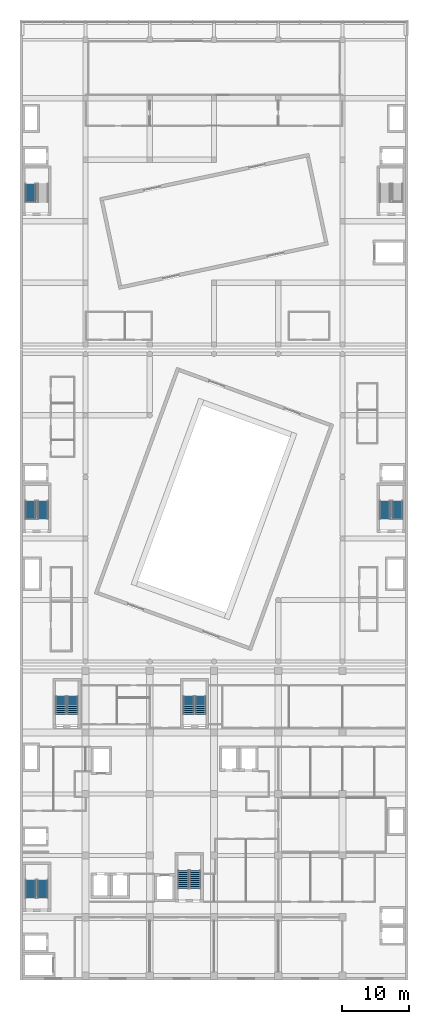
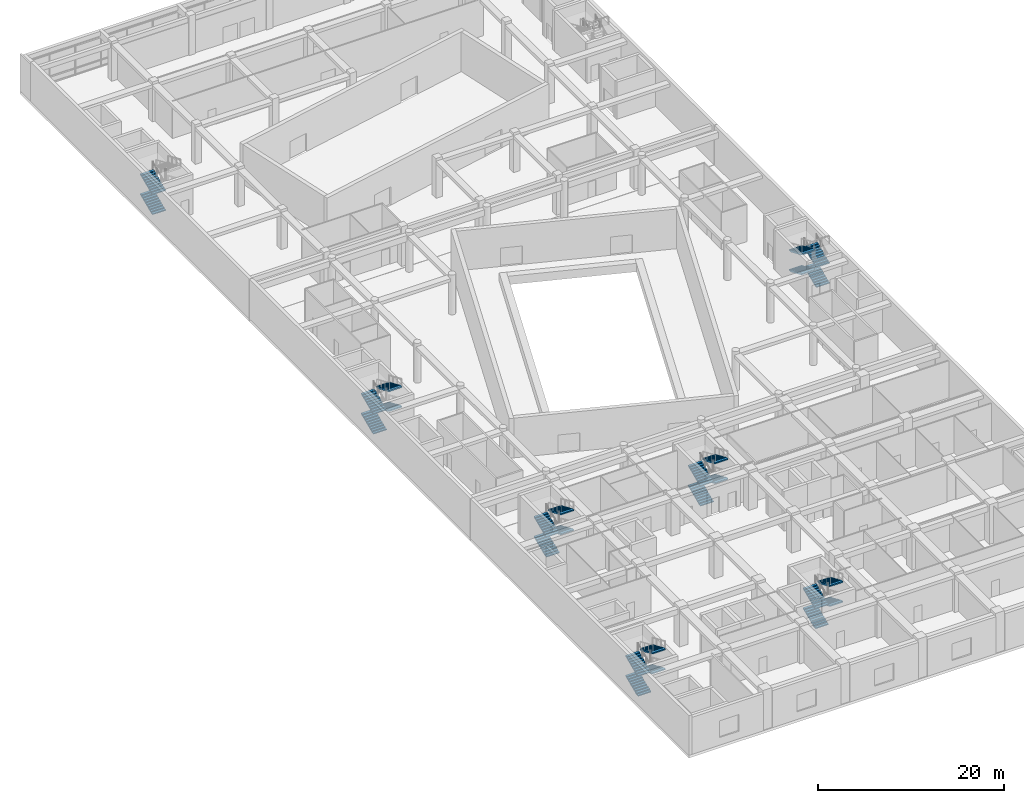
# One storey, part 15 of 31: 26 stair flights, 7 elements without a shape of their own.
"""IFC4 building model written with IfcOpenShell, lengths in metres."""

from ifc_helpers import new_model, si_unit, direction, frame, origin, place, context, subcontext, project, spatial, polyline, outline, extrude, material, type_object, element, aggregate, save


model = new_model("IFC4")

# Units and contexts
model_context = context("Model", 3, precision=1e-05, world=origin(), true_north=direction((0.0, 1.0)))
body_context = subcontext(model_context, "Body", "Model", "MODEL_VIEW")
ifc_project = project(units=[si_unit("LENGTHUNIT", "METRE"), si_unit("AREAUNIT", "SQUARE_METRE"), si_unit("VOLUMEUNIT", "CUBIC_METRE"), si_unit("PLANEANGLEUNIT", "RADIAN"), si_unit("MASSUNIT", "GRAM", prefix="KILO")], contexts=[model_context])

# Site, building, storey
site_placement = place(None, origin())
site = spatial("IfcSite", under=ifc_project, at=site_placement, CompositionType="ELEMENT")
building_placement = place(site_placement, origin())
building = spatial("IfcBuilding", under=site, at=building_placement, Name="Nzadi Deep Aquarium and Research Tower", CompositionType="ELEMENT")
storey_placement = place(building_placement, frame((0.0, 0.0, 26.699951171875)))
storey = spatial("IfcBuildingStorey", under=building, at=storey_placement, Name="L04", CompositionType="ELEMENT", Elevation=26.699951171875)

# Stair, stair flights
ifc_material_1 = material(Name="Concrete C35/45", Category="concrete")
stair_type = type_object("IfcStairType", Name="STAIR RETURN 3000", PredefinedType="NOTDEFINED", material=ifc_material_1)
stair_1_placement = place(storey_placement, origin())
stair_1 = element("IfcStair", 1, at=stair_1_placement, inside=storey, type_object=stair_type, Name="Stair ST-Z1-SW L04", PredefinedType="DOUBLE_RETURN_STAIR")
ifc_material_2 = material(Name="Concrete C35/45", Category="concrete")
stair_flight_type = type_object("IfcStairFlightType", Name="FLIGHT 1625 10 RISERS 130.0", PredefinedType="STRAIGHT", material=ifc_material_2)
stair_flight_1_placement = place(storey_placement, frame((1.41259765625, 12.070068359375, 0.0), z_axis=(0.0, 0.0, 1.0), x_axis=(0.0, 1.0, 0.0)))
stair_flight_1 = element("IfcStairFlight", 2, at=stair_flight_1_placement, type_object=stair_flight_type, Name="ST-Z1-SW flight 1", NumberOfRisers=10, NumberOfTreads=9, PredefinedType="STRAIGHT", RiserHeight=0.13, TreadLength=0.3, context=body_context, shape_type="SweptSolid", body=[
    extrude(outline(polyline([(0.0, 0.0), (0.0, 0.1298828125), (0.300048828125, 0.1298828125), (0.300048828125, 0.260009765625), (0.60009765625, 0.260009765625), (0.60009765625, 0.389892578125), (0.89990234375, 0.389892578125), (0.89990234375, 0.52001953125), (1.199951171875, 0.52001953125), (1.199951171875, 0.64990234375), (1.5, 0.64990234375), (1.5, 0.780029296875), (1.800048828125, 0.780029296875), (1.800048828125, 0.909912109375), (2.10009765625, 0.909912109375), (2.10009765625, 1.0400390625), (2.39990234375, 1.0400390625), (2.39990234375, 1.169921875), (2.699951171875, 1.169921875), (2.699951171875, 1.300048828125), (2.699951171875, 1.006591796875), (0.376953125, 0.0), (0.0, 0.0)])), frame((0.0, 0.8125, 0.0), z_axis=(0.0, -1.0, 0.0), x_axis=(1.0, 0.0, 0.0)), (0.0, 0.0, 1.0), 1.625),
])
stair_flight_2_placement = place(storey_placement, frame((3.1875, 14.77001953125, 1.300048828125), z_axis=(0.0, 0.0, 1.0), x_axis=(0.0, -1.0, 0.0)))
stair_flight_2 = element("IfcStairFlight", 3, at=stair_flight_2_placement, type_object=stair_flight_type, Name="ST-Z1-SW flight 2", NumberOfRisers=10, NumberOfTreads=9, PredefinedType="STRAIGHT", RiserHeight=0.13, TreadLength=0.3, context=body_context, shape_type="SweptSolid", body=[
    extrude(outline(polyline([(0.0, 0.0), (0.0, 0.1298828125), (0.300048828125, 0.1298828125), (0.300048828125, 0.260009765625), (0.60009765625, 0.260009765625), (0.60009765625, 0.389892578125), (0.89990234375, 0.389892578125), (0.89990234375, 0.52001953125), (1.199951171875, 0.52001953125), (1.199951171875, 0.64990234375), (1.5, 0.64990234375), (1.5, 0.780029296875), (1.800048828125, 0.780029296875), (1.800048828125, 0.909912109375), (2.10009765625, 0.909912109375), (2.10009765625, 1.0400390625), (2.39990234375, 1.0400390625), (2.39990234375, 1.169921875), (2.699951171875, 1.169921875), (2.699951171875, 1.300048828125), (2.699951171875, 1.006591796875), (0.376953125, 0.0), (0.0, 0.0)])), frame((0.0, 0.8125, 0.0), z_axis=(0.0, -1.0, 0.0), x_axis=(1.0, 0.0, 0.0)), (0.0, 0.0, 1.0), 1.625),
])
stair_flight_3_placement = place(storey_placement, frame((1.41259765625, 12.070068359375, 2.60009765625), z_axis=(0.0, 0.0, 1.0), x_axis=(0.0, 1.0, 0.0)))
stair_flight_3 = element("IfcStairFlight", 4, at=stair_flight_3_placement, type_object=stair_flight_type, Name="ST-Z1-SW flight 3", NumberOfRisers=10, NumberOfTreads=9, PredefinedType="STRAIGHT", RiserHeight=0.13, TreadLength=0.3, context=body_context, shape_type="SweptSolid", body=[
    extrude(outline(polyline([(0.0, 0.0), (0.0, 0.1298828125), (0.300048828125, 0.1298828125), (0.300048828125, 0.260009765625), (0.60009765625, 0.260009765625), (0.60009765625, 0.389892578125), (0.89990234375, 0.389892578125), (0.89990234375, 0.52001953125), (1.199951171875, 0.52001953125), (1.199951171875, 0.64990234375), (1.5, 0.64990234375), (1.5, 0.780029296875), (1.800048828125, 0.780029296875), (1.800048828125, 0.909912109375), (2.10009765625, 0.909912109375), (2.10009765625, 1.0400390625), (2.39990234375, 1.0400390625), (2.39990234375, 1.169921875), (2.699951171875, 1.169921875), (2.699951171875, 1.300048828125), (2.699951171875, 1.006591796875), (0.376953125, 0.0), (0.0, 0.0)])), frame((0.0, 0.8125, 0.0), z_axis=(0.0, -1.0, 0.0), x_axis=(1.0, 0.0, 0.0)), (0.0, 0.0, 1.0), 1.625),
])
stair_flight_4_placement = place(storey_placement, frame((3.1875, 14.77001953125, 3.900146484375), z_axis=(0.0, 0.0, 1.0), x_axis=(0.0, -1.0, 0.0)))
stair_flight_4 = element("IfcStairFlight", 5, at=stair_flight_4_placement, type_object=stair_flight_type, Name="ST-Z1-SW flight 4", NumberOfRisers=10, NumberOfTreads=9, PredefinedType="STRAIGHT", RiserHeight=0.13, TreadLength=0.3, context=body_context, shape_type="SweptSolid", body=[
    extrude(outline(polyline([(0.0, 0.0), (0.0, 0.1298828125), (0.300048828125, 0.1298828125), (0.300048828125, 0.260009765625), (0.60009765625, 0.260009765625), (0.60009765625, 0.389892578125), (0.89990234375, 0.389892578125), (0.89990234375, 0.52001953125), (1.199951171875, 0.52001953125), (1.199951171875, 0.64990234375), (1.5, 0.64990234375), (1.5, 0.780029296875), (1.800048828125, 0.780029296875), (1.800048828125, 0.909912109375), (2.10009765625, 0.909912109375), (2.10009765625, 1.0400390625), (2.39990234375, 1.0400390625), (2.39990234375, 1.169921875), (2.699951171875, 1.169921875), (2.699951171875, 1.300048828125), (2.699951171875, 1.006591796875), (0.376953125, 0.0), (0.0, 0.0)])), frame((0.0, 0.8125, 0.0), z_axis=(0.0, -1.0, 0.0), x_axis=(1.0, 0.0, 0.0)), (0.0, 0.0, 1.0), 1.625),
])
aggregate(stair_1, [stair_flight_1, stair_flight_2, stair_flight_3, stair_flight_4])

stair_2_placement = place(storey_placement, origin())
stair_2 = element("IfcStair", 6, at=stair_2_placement, inside=storey, type_object=stair_type, Name="Stair ST-Z1-SE L04", PredefinedType="DOUBLE_RETURN_STAIR")
stair_flight_5_placement = place(storey_placement, frame((24.21240234375, 13.469970703125, 0.0), z_axis=(0.0, 0.0, 1.0), x_axis=(0.0, 1.0, 0.0)))
stair_flight_5 = element("IfcStairFlight", 7, at=stair_flight_5_placement, type_object=stair_flight_type, Name="ST-Z1-SE flight 1", NumberOfRisers=10, NumberOfTreads=9, PredefinedType="STRAIGHT", RiserHeight=0.13, TreadLength=0.3, context=body_context, shape_type="SweptSolid", body=[
    extrude(outline(polyline([(0.0, 0.0), (0.0, 0.1298828125), (0.300048828125, 0.1298828125), (0.300048828125, 0.260009765625), (0.60009765625, 0.260009765625), (0.60009765625, 0.389892578125), (0.89990234375, 0.389892578125), (0.89990234375, 0.52001953125), (1.199951171875, 0.52001953125), (1.199951171875, 0.64990234375), (1.5, 0.64990234375), (1.5, 0.780029296875), (1.800048828125, 0.780029296875), (1.800048828125, 0.909912109375), (2.10009765625, 0.909912109375), (2.10009765625, 1.0400390625), (2.39990234375, 1.0400390625), (2.39990234375, 1.169921875), (2.699951171875, 1.169921875), (2.699951171875, 1.300048828125), (2.699951171875, 1.006591796875), (0.376953125, 0.0), (0.0, 0.0)])), frame((0.0, 0.8125, 0.0), z_axis=(0.0, -1.0, 0.0), x_axis=(1.0, 0.0, 0.0)), (0.0, 0.0, 1.0), 1.625),
])
stair_flight_6_placement = place(storey_placement, frame((25.987548828125, 16.169921875, 1.300048828125), z_axis=(0.0, 0.0, 1.0), x_axis=(0.0, -1.0, 0.0)))
stair_flight_6 = element("IfcStairFlight", 8, at=stair_flight_6_placement, type_object=stair_flight_type, Name="ST-Z1-SE flight 2", NumberOfRisers=10, NumberOfTreads=9, PredefinedType="STRAIGHT", RiserHeight=0.13, TreadLength=0.3, context=body_context, shape_type="SweptSolid", body=[
    extrude(outline(polyline([(0.0, 0.0), (0.0, 0.1298828125), (0.300048828125, 0.1298828125), (0.300048828125, 0.260009765625), (0.60009765625, 0.260009765625), (0.60009765625, 0.389892578125), (0.89990234375, 0.389892578125), (0.89990234375, 0.52001953125), (1.199951171875, 0.52001953125), (1.199951171875, 0.64990234375), (1.5, 0.64990234375), (1.5, 0.780029296875), (1.800048828125, 0.780029296875), (1.800048828125, 0.909912109375), (2.10009765625, 0.909912109375), (2.10009765625, 1.0400390625), (2.39990234375, 1.0400390625), (2.39990234375, 1.169921875), (2.699951171875, 1.169921875), (2.699951171875, 1.300048828125), (2.699951171875, 1.006591796875), (0.376953125, 0.0), (0.0, 0.0)])), frame((0.0, 0.8125, 0.0), z_axis=(0.0, -1.0, 0.0), x_axis=(1.0, 0.0, 0.0)), (0.0, 0.0, 1.0), 1.625),
])
stair_flight_7_placement = place(storey_placement, frame((24.21240234375, 13.469970703125, 2.60009765625), z_axis=(0.0, 0.0, 1.0), x_axis=(0.0, 1.0, 0.0)))
stair_flight_7 = element("IfcStairFlight", 9, at=stair_flight_7_placement, type_object=stair_flight_type, Name="ST-Z1-SE flight 3", NumberOfRisers=10, NumberOfTreads=9, PredefinedType="STRAIGHT", RiserHeight=0.13, TreadLength=0.3, context=body_context, shape_type="SweptSolid", body=[
    extrude(outline(polyline([(0.0, 0.0), (0.0, 0.1298828125), (0.300048828125, 0.1298828125), (0.300048828125, 0.260009765625), (0.60009765625, 0.260009765625), (0.60009765625, 0.389892578125), (0.89990234375, 0.389892578125), (0.89990234375, 0.52001953125), (1.199951171875, 0.52001953125), (1.199951171875, 0.64990234375), (1.5, 0.64990234375), (1.5, 0.780029296875), (1.800048828125, 0.780029296875), (1.800048828125, 0.909912109375), (2.10009765625, 0.909912109375), (2.10009765625, 1.0400390625), (2.39990234375, 1.0400390625), (2.39990234375, 1.169921875), (2.699951171875, 1.169921875), (2.699951171875, 1.300048828125), (2.699951171875, 1.006591796875), (0.376953125, 0.0), (0.0, 0.0)])), frame((0.0, 0.8125, 0.0), z_axis=(0.0, -1.0, 0.0), x_axis=(1.0, 0.0, 0.0)), (0.0, 0.0, 1.0), 1.625),
])
stair_flight_8_placement = place(storey_placement, frame((25.987548828125, 16.169921875, 3.900146484375), z_axis=(0.0, 0.0, 1.0), x_axis=(0.0, -1.0, 0.0)))
stair_flight_8 = element("IfcStairFlight", 10, at=stair_flight_8_placement, type_object=stair_flight_type, Name="ST-Z1-SE flight 4", NumberOfRisers=10, NumberOfTreads=9, PredefinedType="STRAIGHT", RiserHeight=0.13, TreadLength=0.3, context=body_context, shape_type="SweptSolid", body=[
    extrude(outline(polyline([(0.0, 0.0), (0.0, 0.1298828125), (0.300048828125, 0.1298828125), (0.300048828125, 0.260009765625), (0.60009765625, 0.260009765625), (0.60009765625, 0.389892578125), (0.89990234375, 0.389892578125), (0.89990234375, 0.52001953125), (1.199951171875, 0.52001953125), (1.199951171875, 0.64990234375), (1.5, 0.64990234375), (1.5, 0.780029296875), (1.800048828125, 0.780029296875), (1.800048828125, 0.909912109375), (2.10009765625, 0.909912109375), (2.10009765625, 1.0400390625), (2.39990234375, 1.0400390625), (2.39990234375, 1.169921875), (2.699951171875, 1.169921875), (2.699951171875, 1.300048828125), (2.699951171875, 1.006591796875), (0.376953125, 0.0), (0.0, 0.0)])), frame((0.0, 0.8125, 0.0), z_axis=(0.0, -1.0, 0.0), x_axis=(1.0, 0.0, 0.0)), (0.0, 0.0, 1.0), 1.625),
])
aggregate(stair_2, [stair_flight_5, stair_flight_6, stair_flight_7, stair_flight_8])

stair_3_placement = place(storey_placement, origin())
stair_3 = element("IfcStair", 11, at=stair_3_placement, inside=storey, type_object=stair_type, Name="Stair ST-Z1-NW L04", PredefinedType="DOUBLE_RETURN_STAIR")
stair_flight_9_placement = place(storey_placement, frame((5.91259765625, 39.52001953125, 0.0), z_axis=(0.0, 0.0, 1.0), x_axis=(0.0, 1.0, 0.0)))
stair_flight_9 = element("IfcStairFlight", 12, at=stair_flight_9_placement, type_object=stair_flight_type, Name="ST-Z1-NW flight 1", NumberOfRisers=10, NumberOfTreads=9, PredefinedType="STRAIGHT", RiserHeight=0.13, TreadLength=0.3, context=body_context, shape_type="SweptSolid", body=[
    extrude(outline(polyline([(0.0, 0.0), (0.0, 0.1298828125), (0.300048828125, 0.1298828125), (0.300048828125, 0.260009765625), (0.60009765625, 0.260009765625), (0.60009765625, 0.389892578125), (0.89990234375, 0.389892578125), (0.89990234375, 0.52001953125), (1.199951171875, 0.52001953125), (1.199951171875, 0.64990234375), (1.5, 0.64990234375), (1.5, 0.780029296875), (1.800048828125, 0.780029296875), (1.800048828125, 0.909912109375), (2.10009765625, 0.909912109375), (2.10009765625, 1.0400390625), (2.39990234375, 1.0400390625), (2.39990234375, 1.169921875), (2.699951171875, 1.169921875), (2.699951171875, 1.300048828125), (2.699951171875, 1.006591796875), (0.376953125, 0.0), (0.0, 0.0)])), frame((0.0, 0.8125, 0.0), z_axis=(0.0, -1.0, 0.0), x_axis=(1.0, 0.0, 0.0)), (0.0, 0.0, 1.0), 1.625),
])
stair_flight_10_placement = place(storey_placement, frame((7.6875, 42.219970703125, 1.300048828125), z_axis=(0.0, 0.0, 1.0), x_axis=(0.0, -1.0, 0.0)))
stair_flight_10 = element("IfcStairFlight", 13, at=stair_flight_10_placement, type_object=stair_flight_type, Name="ST-Z1-NW flight 2", NumberOfRisers=10, NumberOfTreads=9, PredefinedType="STRAIGHT", RiserHeight=0.13, TreadLength=0.3, context=body_context, shape_type="SweptSolid", body=[
    extrude(outline(polyline([(0.0, 0.0), (0.0, 0.1298828125), (0.300048828125, 0.1298828125), (0.300048828125, 0.260009765625), (0.60009765625, 0.260009765625), (0.60009765625, 0.389892578125), (0.89990234375, 0.389892578125), (0.89990234375, 0.52001953125), (1.199951171875, 0.52001953125), (1.199951171875, 0.64990234375), (1.5, 0.64990234375), (1.5, 0.780029296875), (1.800048828125, 0.780029296875), (1.800048828125, 0.909912109375), (2.10009765625, 0.909912109375), (2.10009765625, 1.0400390625), (2.39990234375, 1.0400390625), (2.39990234375, 1.169921875), (2.699951171875, 1.169921875), (2.699951171875, 1.300048828125), (2.699951171875, 1.006591796875), (0.376953125, 0.0), (0.0, 0.0)])), frame((0.0, 0.8125, 0.0), z_axis=(0.0, -1.0, 0.0), x_axis=(1.0, 0.0, 0.0)), (0.0, 0.0, 1.0), 1.625),
])
stair_flight_11_placement = place(storey_placement, frame((5.91259765625, 39.52001953125, 2.60009765625), z_axis=(0.0, 0.0, 1.0), x_axis=(0.0, 1.0, 0.0)))
stair_flight_11 = element("IfcStairFlight", 14, at=stair_flight_11_placement, type_object=stair_flight_type, Name="ST-Z1-NW flight 3", NumberOfRisers=10, NumberOfTreads=9, PredefinedType="STRAIGHT", RiserHeight=0.13, TreadLength=0.3, context=body_context, shape_type="SweptSolid", body=[
    extrude(outline(polyline([(0.0, 0.0), (0.0, 0.1298828125), (0.300048828125, 0.1298828125), (0.300048828125, 0.260009765625), (0.60009765625, 0.260009765625), (0.60009765625, 0.389892578125), (0.89990234375, 0.389892578125), (0.89990234375, 0.52001953125), (1.199951171875, 0.52001953125), (1.199951171875, 0.64990234375), (1.5, 0.64990234375), (1.5, 0.780029296875), (1.800048828125, 0.780029296875), (1.800048828125, 0.909912109375), (2.10009765625, 0.909912109375), (2.10009765625, 1.0400390625), (2.39990234375, 1.0400390625), (2.39990234375, 1.169921875), (2.699951171875, 1.169921875), (2.699951171875, 1.300048828125), (2.699951171875, 1.006591796875), (0.376953125, 0.0), (0.0, 0.0)])), frame((0.0, 0.8125, 0.0), z_axis=(0.0, -1.0, 0.0), x_axis=(1.0, 0.0, 0.0)), (0.0, 0.0, 1.0), 1.625),
])
stair_flight_12_placement = place(storey_placement, frame((7.6875, 42.219970703125, 3.900146484375), z_axis=(0.0, 0.0, 1.0), x_axis=(0.0, -1.0, 0.0)))
stair_flight_12 = element("IfcStairFlight", 15, at=stair_flight_12_placement, type_object=stair_flight_type, Name="ST-Z1-NW flight 4", NumberOfRisers=10, NumberOfTreads=9, PredefinedType="STRAIGHT", RiserHeight=0.13, TreadLength=0.3, context=body_context, shape_type="SweptSolid", body=[
    extrude(outline(polyline([(0.0, 0.0), (0.0, 0.1298828125), (0.300048828125, 0.1298828125), (0.300048828125, 0.260009765625), (0.60009765625, 0.260009765625), (0.60009765625, 0.389892578125), (0.89990234375, 0.389892578125), (0.89990234375, 0.52001953125), (1.199951171875, 0.52001953125), (1.199951171875, 0.64990234375), (1.5, 0.64990234375), (1.5, 0.780029296875), (1.800048828125, 0.780029296875), (1.800048828125, 0.909912109375), (2.10009765625, 0.909912109375), (2.10009765625, 1.0400390625), (2.39990234375, 1.0400390625), (2.39990234375, 1.169921875), (2.699951171875, 1.169921875), (2.699951171875, 1.300048828125), (2.699951171875, 1.006591796875), (0.376953125, 0.0), (0.0, 0.0)])), frame((0.0, 0.8125, 0.0), z_axis=(0.0, -1.0, 0.0), x_axis=(1.0, 0.0, 0.0)), (0.0, 0.0, 1.0), 1.625),
])
aggregate(stair_3, [stair_flight_9, stair_flight_10, stair_flight_11, stair_flight_12])

stair_4_placement = place(storey_placement, origin())
stair_4 = element("IfcStair", 16, at=stair_4_placement, inside=storey, type_object=stair_type, Name="Stair ST-Z1-NE L04", PredefinedType="DOUBLE_RETURN_STAIR")
stair_flight_13_placement = place(storey_placement, frame((25.012451171875, 39.52001953125, 0.0), z_axis=(0.0, 0.0, 1.0), x_axis=(0.0, 1.0, 0.0)))
stair_flight_13 = element("IfcStairFlight", 17, at=stair_flight_13_placement, type_object=stair_flight_type, Name="ST-Z1-NE flight 1", NumberOfRisers=10, NumberOfTreads=9, PredefinedType="STRAIGHT", RiserHeight=0.13, TreadLength=0.3, context=body_context, shape_type="SweptSolid", body=[
    extrude(outline(polyline([(0.0, 0.0), (0.0, 0.1298828125), (0.300048828125, 0.1298828125), (0.300048828125, 0.260009765625), (0.60009765625, 0.260009765625), (0.60009765625, 0.389892578125), (0.89990234375, 0.389892578125), (0.89990234375, 0.52001953125), (1.199951171875, 0.52001953125), (1.199951171875, 0.64990234375), (1.5, 0.64990234375), (1.5, 0.780029296875), (1.800048828125, 0.780029296875), (1.800048828125, 0.909912109375), (2.10009765625, 0.909912109375), (2.10009765625, 1.0400390625), (2.39990234375, 1.0400390625), (2.39990234375, 1.169921875), (2.699951171875, 1.169921875), (2.699951171875, 1.300048828125), (2.699951171875, 1.006591796875), (0.376953125, 0.0), (0.0, 0.0)])), frame((0.0, 0.8125, 0.0), z_axis=(0.0, -1.0, 0.0), x_axis=(1.0, 0.0, 0.0)), (0.0, 0.0, 1.0), 1.625),
])
stair_flight_14_placement = place(storey_placement, frame((26.78759765625, 42.219970703125, 1.300048828125), z_axis=(0.0, 0.0, 1.0), x_axis=(0.0, -1.0, 0.0)))
stair_flight_14 = element("IfcStairFlight", 18, at=stair_flight_14_placement, type_object=stair_flight_type, Name="ST-Z1-NE flight 2", NumberOfRisers=10, NumberOfTreads=9, PredefinedType="STRAIGHT", RiserHeight=0.13, TreadLength=0.3, context=body_context, shape_type="SweptSolid", body=[
    extrude(outline(polyline([(0.0, 0.0), (0.0, 0.1298828125), (0.300048828125, 0.1298828125), (0.300048828125, 0.260009765625), (0.60009765625, 0.260009765625), (0.60009765625, 0.389892578125), (0.89990234375, 0.389892578125), (0.89990234375, 0.52001953125), (1.199951171875, 0.52001953125), (1.199951171875, 0.64990234375), (1.5, 0.64990234375), (1.5, 0.780029296875), (1.800048828125, 0.780029296875), (1.800048828125, 0.909912109375), (2.10009765625, 0.909912109375), (2.10009765625, 1.0400390625), (2.39990234375, 1.0400390625), (2.39990234375, 1.169921875), (2.699951171875, 1.169921875), (2.699951171875, 1.300048828125), (2.699951171875, 1.006591796875), (0.376953125, 0.0), (0.0, 0.0)])), frame((0.0, 0.8125, 0.0), z_axis=(0.0, -1.0, 0.0), x_axis=(1.0, 0.0, 0.0)), (0.0, 0.0, 1.0), 1.625),
])
stair_flight_15_placement = place(storey_placement, frame((25.012451171875, 39.52001953125, 2.60009765625), z_axis=(0.0, 0.0, 1.0), x_axis=(0.0, 1.0, 0.0)))
stair_flight_15 = element("IfcStairFlight", 19, at=stair_flight_15_placement, type_object=stair_flight_type, Name="ST-Z1-NE flight 3", NumberOfRisers=10, NumberOfTreads=9, PredefinedType="STRAIGHT", RiserHeight=0.13, TreadLength=0.3, context=body_context, shape_type="SweptSolid", body=[
    extrude(outline(polyline([(0.0, 0.0), (0.0, 0.1298828125), (0.300048828125, 0.1298828125), (0.300048828125, 0.260009765625), (0.60009765625, 0.260009765625), (0.60009765625, 0.389892578125), (0.89990234375, 0.389892578125), (0.89990234375, 0.52001953125), (1.199951171875, 0.52001953125), (1.199951171875, 0.64990234375), (1.5, 0.64990234375), (1.5, 0.780029296875), (1.800048828125, 0.780029296875), (1.800048828125, 0.909912109375), (2.10009765625, 0.909912109375), (2.10009765625, 1.0400390625), (2.39990234375, 1.0400390625), (2.39990234375, 1.169921875), (2.699951171875, 1.169921875), (2.699951171875, 1.300048828125), (2.699951171875, 1.006591796875), (0.376953125, 0.0), (0.0, 0.0)])), frame((0.0, 0.8125, 0.0), z_axis=(0.0, -1.0, 0.0), x_axis=(1.0, 0.0, 0.0)), (0.0, 0.0, 1.0), 1.625),
])
stair_flight_16_placement = place(storey_placement, frame((26.78759765625, 42.219970703125, 3.900146484375), z_axis=(0.0, 0.0, 1.0), x_axis=(0.0, -1.0, 0.0)))
stair_flight_16 = element("IfcStairFlight", 20, at=stair_flight_16_placement, type_object=stair_flight_type, Name="ST-Z1-NE flight 4", NumberOfRisers=10, NumberOfTreads=9, PredefinedType="STRAIGHT", RiserHeight=0.13, TreadLength=0.3, context=body_context, shape_type="SweptSolid", body=[
    extrude(outline(polyline([(0.0, 0.0), (0.0, 0.1298828125), (0.300048828125, 0.1298828125), (0.300048828125, 0.260009765625), (0.60009765625, 0.260009765625), (0.60009765625, 0.389892578125), (0.89990234375, 0.389892578125), (0.89990234375, 0.52001953125), (1.199951171875, 0.52001953125), (1.199951171875, 0.64990234375), (1.5, 0.64990234375), (1.5, 0.780029296875), (1.800048828125, 0.780029296875), (1.800048828125, 0.909912109375), (2.10009765625, 0.909912109375), (2.10009765625, 1.0400390625), (2.39990234375, 1.0400390625), (2.39990234375, 1.169921875), (2.699951171875, 1.169921875), (2.699951171875, 1.300048828125), (2.699951171875, 1.006591796875), (0.376953125, 0.0), (0.0, 0.0)])), frame((0.0, 0.8125, 0.0), z_axis=(0.0, -1.0, 0.0), x_axis=(1.0, 0.0, 0.0)), (0.0, 0.0, 1.0), 1.625),
])
aggregate(stair_4, [stair_flight_13, stair_flight_14, stair_flight_15, stair_flight_16])

stair_5_placement = place(storey_placement, origin())
stair_5 = element("IfcStair", 21, at=stair_5_placement, inside=storey, type_object=stair_type, Name="Stair ST-Z2-W L04", PredefinedType="DOUBLE_RETURN_STAIR")
stair_flight_17_placement = place(storey_placement, frame((1.362548828125, 68.7099609375, 0.0), z_axis=(0.0, 0.0, 1.0), x_axis=(0.0, 1.0, 0.0)))
stair_flight_17 = element("IfcStairFlight", 22, at=stair_flight_17_placement, type_object=stair_flight_type, Name="ST-Z2-W flight 1", NumberOfRisers=10, NumberOfTreads=9, PredefinedType="STRAIGHT", RiserHeight=0.13, TreadLength=0.3, context=body_context, shape_type="SweptSolid", body=[
    extrude(outline(polyline([(0.0, 0.0), (0.0, 0.1298828125), (0.300048828125, 0.1298828125), (0.300048828125, 0.260009765625), (0.60009765625, 0.260009765625), (0.60009765625, 0.389892578125), (0.89990234375, 0.389892578125), (0.89990234375, 0.52001953125), (1.199951171875, 0.52001953125), (1.199951171875, 0.64990234375), (1.5, 0.64990234375), (1.5, 0.780029296875), (1.800048828125, 0.780029296875), (1.800048828125, 0.909912109375), (2.10009765625, 0.909912109375), (2.10009765625, 1.0400390625), (2.39990234375, 1.0400390625), (2.39990234375, 1.169921875), (2.699951171875, 1.169921875), (2.699951171875, 1.300048828125), (2.699951171875, 1.006591796875), (0.376953125, 0.0), (0.0, 0.0)])), frame((0.0, 0.8125, 0.0), z_axis=(0.0, -1.0, 0.0), x_axis=(1.0, 0.0, 0.0)), (0.0, 0.0, 1.0), 1.625),
])
stair_flight_18_placement = place(storey_placement, frame((3.237548828125, 71.409912109375, 1.300048828125), z_axis=(0.0, 0.0, 1.0), x_axis=(0.0, -1.0, 0.0)))
stair_flight_18 = element("IfcStairFlight", 23, at=stair_flight_18_placement, type_object=stair_flight_type, Name="ST-Z2-W flight 2", NumberOfRisers=10, NumberOfTreads=9, PredefinedType="STRAIGHT", RiserHeight=0.13, TreadLength=0.3, context=body_context, shape_type="SweptSolid", body=[
    extrude(outline(polyline([(0.0, 0.0), (0.0, 0.1298828125), (0.300048828125, 0.1298828125), (0.300048828125, 0.260009765625), (0.60009765625, 0.260009765625), (0.60009765625, 0.389892578125), (0.89990234375, 0.389892578125), (0.89990234375, 0.52001953125), (1.199951171875, 0.52001953125), (1.199951171875, 0.64990234375), (1.5, 0.64990234375), (1.5, 0.780029296875), (1.800048828125, 0.780029296875), (1.800048828125, 0.909912109375), (2.10009765625, 0.909912109375), (2.10009765625, 1.0400390625), (2.39990234375, 1.0400390625), (2.39990234375, 1.169921875), (2.699951171875, 1.169921875), (2.699951171875, 1.300048828125), (2.699951171875, 1.006591796875), (0.376953125, 0.0), (0.0, 0.0)])), frame((0.0, 0.8125, 0.0), z_axis=(0.0, -1.0, 0.0), x_axis=(1.0, 0.0, 0.0)), (0.0, 0.0, 1.0), 1.625),
])
stair_flight_19_placement = place(storey_placement, frame((1.362548828125, 68.7099609375, 2.60009765625), z_axis=(0.0, 0.0, 1.0), x_axis=(0.0, 1.0, 0.0)))
stair_flight_19 = element("IfcStairFlight", 24, at=stair_flight_19_placement, type_object=stair_flight_type, Name="ST-Z2-W flight 3", NumberOfRisers=10, NumberOfTreads=9, PredefinedType="STRAIGHT", RiserHeight=0.13, TreadLength=0.3, context=body_context, shape_type="SweptSolid", body=[
    extrude(outline(polyline([(0.0, 0.0), (0.0, 0.1298828125), (0.300048828125, 0.1298828125), (0.300048828125, 0.260009765625), (0.60009765625, 0.260009765625), (0.60009765625, 0.389892578125), (0.89990234375, 0.389892578125), (0.89990234375, 0.52001953125), (1.199951171875, 0.52001953125), (1.199951171875, 0.64990234375), (1.5, 0.64990234375), (1.5, 0.780029296875), (1.800048828125, 0.780029296875), (1.800048828125, 0.909912109375), (2.10009765625, 0.909912109375), (2.10009765625, 1.0400390625), (2.39990234375, 1.0400390625), (2.39990234375, 1.169921875), (2.699951171875, 1.169921875), (2.699951171875, 1.300048828125), (2.699951171875, 1.006591796875), (0.376953125, 0.0), (0.0, 0.0)])), frame((0.0, 0.8125, 0.0), z_axis=(0.0, -1.0, 0.0), x_axis=(1.0, 0.0, 0.0)), (0.0, 0.0, 1.0), 1.625),
])
stair_flight_20_placement = place(storey_placement, frame((3.237548828125, 71.409912109375, 3.900146484375), z_axis=(0.0, 0.0, 1.0), x_axis=(0.0, -1.0, 0.0)))
stair_flight_20 = element("IfcStairFlight", 25, at=stair_flight_20_placement, type_object=stair_flight_type, Name="ST-Z2-W flight 4", NumberOfRisers=10, NumberOfTreads=9, PredefinedType="STRAIGHT", RiserHeight=0.13, TreadLength=0.3, context=body_context, shape_type="SweptSolid", body=[
    extrude(outline(polyline([(0.0, 0.0), (0.0, 0.1298828125), (0.300048828125, 0.1298828125), (0.300048828125, 0.260009765625), (0.60009765625, 0.260009765625), (0.60009765625, 0.389892578125), (0.89990234375, 0.389892578125), (0.89990234375, 0.52001953125), (1.199951171875, 0.52001953125), (1.199951171875, 0.64990234375), (1.5, 0.64990234375), (1.5, 0.780029296875), (1.800048828125, 0.780029296875), (1.800048828125, 0.909912109375), (2.10009765625, 0.909912109375), (2.10009765625, 1.0400390625), (2.39990234375, 1.0400390625), (2.39990234375, 1.169921875), (2.699951171875, 1.169921875), (2.699951171875, 1.300048828125), (2.699951171875, 1.006591796875), (0.376953125, 0.0), (0.0, 0.0)])), frame((0.0, 0.8125, 0.0), z_axis=(0.0, -1.0, 0.0), x_axis=(1.0, 0.0, 0.0)), (0.0, 0.0, 1.0), 1.625),
])
aggregate(stair_5, [stair_flight_17, stair_flight_18, stair_flight_19, stair_flight_20])

stair_6_placement = place(storey_placement, origin())
stair_6 = element("IfcStair", 26, at=stair_6_placement, inside=storey, type_object=stair_type, Name="Stair ST-Z2-E L04", PredefinedType="DOUBLE_RETURN_STAIR")
stair_flight_21_placement = place(storey_placement, frame((56.237548828125, 68.7099609375, 0.0), z_axis=(0.0, 0.0, 1.0), x_axis=(0.0, 1.0, 0.0)))
stair_flight_21 = element("IfcStairFlight", 27, at=stair_flight_21_placement, type_object=stair_flight_type, Name="ST-Z2-E flight 1", NumberOfRisers=10, NumberOfTreads=9, PredefinedType="STRAIGHT", RiserHeight=0.13, TreadLength=0.3, context=body_context, shape_type="SweptSolid", body=[
    extrude(outline(polyline([(0.0, 0.0), (0.0, 0.1298828125), (0.300048828125, 0.1298828125), (0.300048828125, 0.260009765625), (0.60009765625, 0.260009765625), (0.60009765625, 0.389892578125), (0.89990234375, 0.389892578125), (0.89990234375, 0.52001953125), (1.199951171875, 0.52001953125), (1.199951171875, 0.64990234375), (1.5, 0.64990234375), (1.5, 0.780029296875), (1.800048828125, 0.780029296875), (1.800048828125, 0.909912109375), (2.10009765625, 0.909912109375), (2.10009765625, 1.0400390625), (2.39990234375, 1.0400390625), (2.39990234375, 1.169921875), (2.699951171875, 1.169921875), (2.699951171875, 1.300048828125), (2.699951171875, 1.006591796875), (0.376953125, 0.0), (0.0, 0.0)])), frame((0.0, 0.8125, 0.0), z_axis=(0.0, -1.0, 0.0), x_axis=(1.0, 0.0, 0.0)), (0.0, 0.0, 1.0), 1.625),
])
stair_flight_22_placement = place(storey_placement, frame((54.362548828125, 71.409912109375, 1.300048828125), z_axis=(0.0, 0.0, 1.0), x_axis=(0.0, -1.0, 0.0)))
stair_flight_22 = element("IfcStairFlight", 28, at=stair_flight_22_placement, type_object=stair_flight_type, Name="ST-Z2-E flight 2", NumberOfRisers=10, NumberOfTreads=9, PredefinedType="STRAIGHT", RiserHeight=0.13, TreadLength=0.3, context=body_context, shape_type="SweptSolid", body=[
    extrude(outline(polyline([(0.0, 0.0), (0.0, 0.1298828125), (0.300048828125, 0.1298828125), (0.300048828125, 0.260009765625), (0.60009765625, 0.260009765625), (0.60009765625, 0.389892578125), (0.89990234375, 0.389892578125), (0.89990234375, 0.52001953125), (1.199951171875, 0.52001953125), (1.199951171875, 0.64990234375), (1.5, 0.64990234375), (1.5, 0.780029296875), (1.800048828125, 0.780029296875), (1.800048828125, 0.909912109375), (2.10009765625, 0.909912109375), (2.10009765625, 1.0400390625), (2.39990234375, 1.0400390625), (2.39990234375, 1.169921875), (2.699951171875, 1.169921875), (2.699951171875, 1.300048828125), (2.699951171875, 1.006591796875), (0.376953125, 0.0), (0.0, 0.0)])), frame((0.0, 0.8125, 0.0), z_axis=(0.0, -1.0, 0.0), x_axis=(1.0, 0.0, 0.0)), (0.0, 0.0, 1.0), 1.625),
])
stair_flight_23_placement = place(storey_placement, frame((56.237548828125, 68.7099609375, 2.60009765625), z_axis=(0.0, 0.0, 1.0), x_axis=(0.0, 1.0, 0.0)))
stair_flight_23 = element("IfcStairFlight", 29, at=stair_flight_23_placement, type_object=stair_flight_type, Name="ST-Z2-E flight 3", NumberOfRisers=10, NumberOfTreads=9, PredefinedType="STRAIGHT", RiserHeight=0.13, TreadLength=0.3, context=body_context, shape_type="SweptSolid", body=[
    extrude(outline(polyline([(0.0, 0.0), (0.0, 0.1298828125), (0.300048828125, 0.1298828125), (0.300048828125, 0.260009765625), (0.60009765625, 0.260009765625), (0.60009765625, 0.389892578125), (0.89990234375, 0.389892578125), (0.89990234375, 0.52001953125), (1.199951171875, 0.52001953125), (1.199951171875, 0.64990234375), (1.5, 0.64990234375), (1.5, 0.780029296875), (1.800048828125, 0.780029296875), (1.800048828125, 0.909912109375), (2.10009765625, 0.909912109375), (2.10009765625, 1.0400390625), (2.39990234375, 1.0400390625), (2.39990234375, 1.169921875), (2.699951171875, 1.169921875), (2.699951171875, 1.300048828125), (2.699951171875, 1.006591796875), (0.376953125, 0.0), (0.0, 0.0)])), frame((0.0, 0.8125, 0.0), z_axis=(0.0, -1.0, 0.0), x_axis=(1.0, 0.0, 0.0)), (0.0, 0.0, 1.0), 1.625),
])
stair_flight_24_placement = place(storey_placement, frame((54.362548828125, 71.409912109375, 3.900146484375), z_axis=(0.0, 0.0, 1.0), x_axis=(0.0, -1.0, 0.0)))
stair_flight_24 = element("IfcStairFlight", 30, at=stair_flight_24_placement, type_object=stair_flight_type, Name="ST-Z2-E flight 4", NumberOfRisers=10, NumberOfTreads=9, PredefinedType="STRAIGHT", RiserHeight=0.13, TreadLength=0.3, context=body_context, shape_type="SweptSolid", body=[
    extrude(outline(polyline([(0.0, 0.0), (0.0, 0.1298828125), (0.300048828125, 0.1298828125), (0.300048828125, 0.260009765625), (0.60009765625, 0.260009765625), (0.60009765625, 0.389892578125), (0.89990234375, 0.389892578125), (0.89990234375, 0.52001953125), (1.199951171875, 0.52001953125), (1.199951171875, 0.64990234375), (1.5, 0.64990234375), (1.5, 0.780029296875), (1.800048828125, 0.780029296875), (1.800048828125, 0.909912109375), (2.10009765625, 0.909912109375), (2.10009765625, 1.0400390625), (2.39990234375, 1.0400390625), (2.39990234375, 1.169921875), (2.699951171875, 1.169921875), (2.699951171875, 1.300048828125), (2.699951171875, 1.006591796875), (0.376953125, 0.0), (0.0, 0.0)])), frame((0.0, 0.8125, 0.0), z_axis=(0.0, -1.0, 0.0), x_axis=(1.0, 0.0, 0.0)), (0.0, 0.0, 1.0), 1.625),
])
aggregate(stair_6, [stair_flight_21, stair_flight_22, stair_flight_23, stair_flight_24])

stair_7_placement = place(storey_placement, origin())
stair_7 = element("IfcStair", 31, at=stair_7_placement, inside=storey, type_object=stair_type, Name="Stair ST-Z3-W L04", PredefinedType="DOUBLE_RETURN_STAIR")
stair_flight_25_placement = place(storey_placement, frame((1.362548828125, 116.110107421875, 0.0), z_axis=(0.0, 0.0, 1.0), x_axis=(0.0, 1.0, 0.0)))
stair_flight_25 = element("IfcStairFlight", 32, at=stair_flight_25_placement, type_object=stair_flight_type, Name="ST-Z3-W flight 1", NumberOfRisers=10, NumberOfTreads=9, PredefinedType="STRAIGHT", RiserHeight=0.13, TreadLength=0.3, context=body_context, shape_type="SweptSolid", body=[
    extrude(outline(polyline([(0.0, 0.0), (0.0, 0.1298828125), (0.300048828125, 0.1298828125), (0.300048828125, 0.260009765625), (0.60009765625, 0.260009765625), (0.60009765625, 0.389892578125), (0.89990234375, 0.389892578125), (0.89990234375, 0.52001953125), (1.199951171875, 0.52001953125), (1.199951171875, 0.64990234375), (1.5, 0.64990234375), (1.5, 0.780029296875), (1.800048828125, 0.780029296875), (1.800048828125, 0.909912109375), (2.10009765625, 0.909912109375), (2.10009765625, 1.0400390625), (2.39990234375, 1.0400390625), (2.39990234375, 1.169921875), (2.699951171875, 1.169921875), (2.699951171875, 1.300048828125), (2.699951171875, 1.006591796875), (0.376953125, 0.0), (0.0, 0.0)])), frame((0.0, 0.8125, 0.0), z_axis=(0.0, -1.0, 0.0), x_axis=(1.0, 0.0, 0.0)), (0.0, 0.0, 1.0), 1.625),
])
stair_flight_26_placement = place(storey_placement, frame((1.362548828125, 116.110107421875, 2.60009765625), z_axis=(0.0, 0.0, 1.0), x_axis=(0.0, 1.0, 0.0)))
stair_flight_26 = element("IfcStairFlight", 33, at=stair_flight_26_placement, type_object=stair_flight_type, Name="ST-Z3-W flight 3", NumberOfRisers=10, NumberOfTreads=9, PredefinedType="STRAIGHT", RiserHeight=0.13, TreadLength=0.3, context=body_context, shape_type="SweptSolid", body=[
    extrude(outline(polyline([(0.0, 0.0), (0.0, 0.1298828125), (0.300048828125, 0.1298828125), (0.300048828125, 0.260009765625), (0.60009765625, 0.260009765625), (0.60009765625, 0.389892578125), (0.89990234375, 0.389892578125), (0.89990234375, 0.52001953125), (1.199951171875, 0.52001953125), (1.199951171875, 0.64990234375), (1.5, 0.64990234375), (1.5, 0.780029296875), (1.800048828125, 0.780029296875), (1.800048828125, 0.909912109375), (2.10009765625, 0.909912109375), (2.10009765625, 1.0400390625), (2.39990234375, 1.0400390625), (2.39990234375, 1.169921875), (2.699951171875, 1.169921875), (2.699951171875, 1.300048828125), (2.699951171875, 1.006591796875), (0.376953125, 0.0), (0.0, 0.0)])), frame((0.0, 0.8125, 0.0), z_axis=(0.0, -1.0, 0.0), x_axis=(1.0, 0.0, 0.0)), (0.0, 0.0, 1.0), 1.625),
])
aggregate(stair_7, [stair_flight_25, stair_flight_26])

save(model, "model.ifc")
